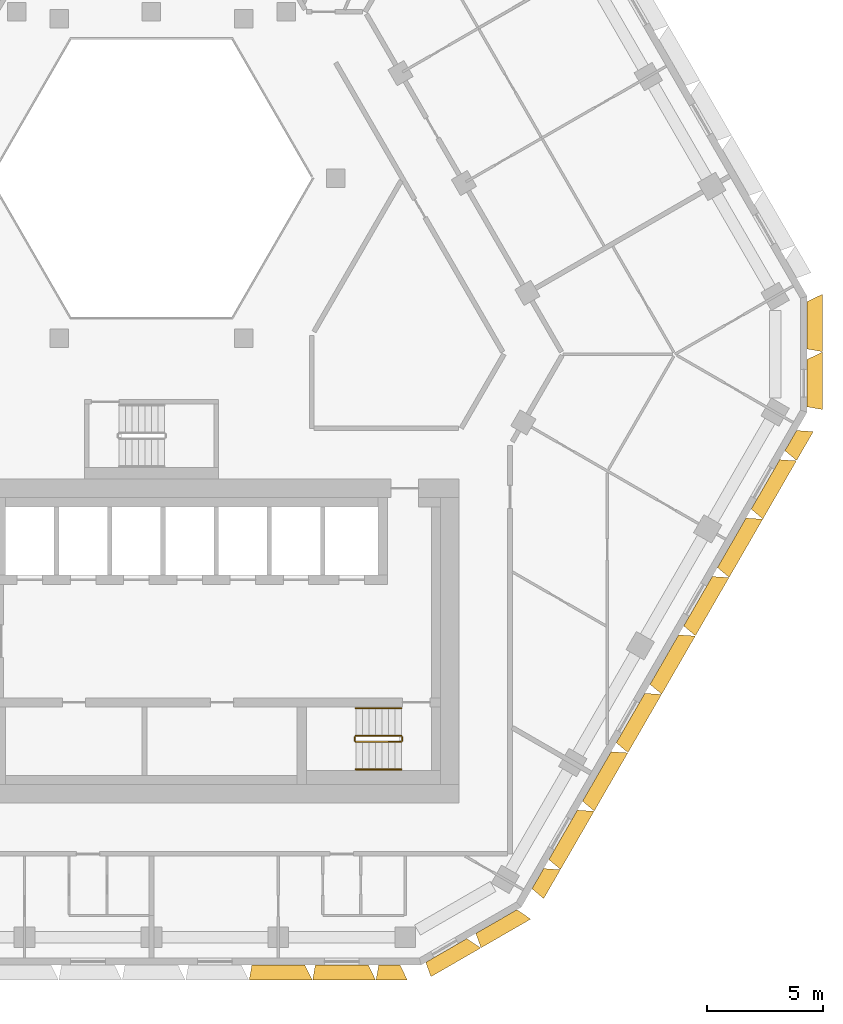
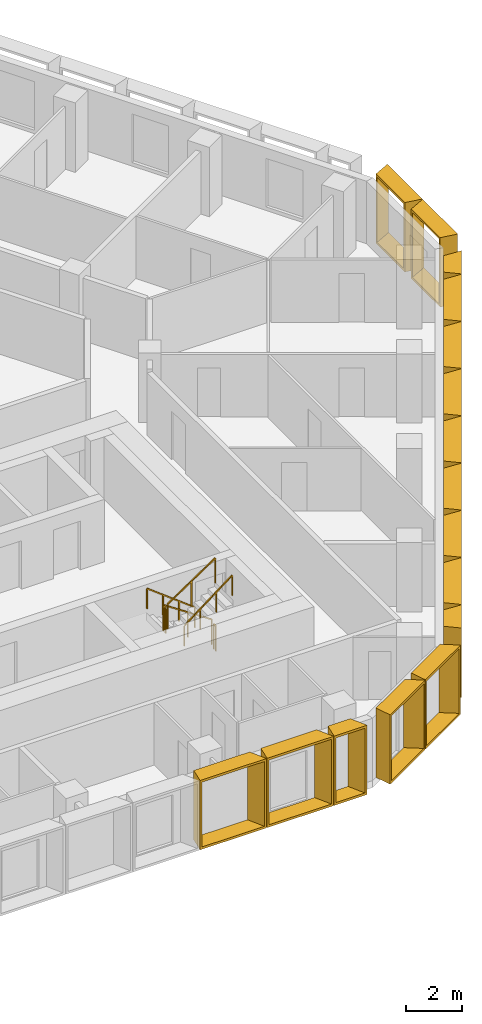
# One storey, part 14 of 15: 16 shading devices, 6 railings.
"""IFC4 building model written with IfcOpenShell, lengths in metres."""

import ifcopenshell
import ifcopenshell.guid

model = None  # the IFC model being written
_history = None  # IfcOwnerHistory: only IFC2X3 demands one
_inside = {}  # id of a spatial element -> (the spatial element, [elements in it])
_under = {}  # id of a project, library or spatial element -> (it, [spatial elements below it])
_declared = {}  # id of a project -> (the project, [libraries it declares])
_typed = {}  # id of a type object -> (the type object, [elements of that type])
_made_of = {}  # id of a material, layer set ... -> (it, [elements and type objects made of it])


def new_model(schema):
    """Start an empty IFC model of exactly this schema.

    Asked for "IFC4X3", IfcOpenShell would pick the latest addendum, in which some entities
    have other attributes; the version numbers below select the first issue.
    IFC2X3 requires an IfcOwnerHistory on every rooted entity: one is made here for all.
    """
    global model, _history
    if schema == "IFC4X3":
        model = ifcopenshell.file(schema_version=(4, 3, 0, 0))
    else:
        model = ifcopenshell.file(schema=schema)
    _inside.clear()
    _under.clear()
    _declared.clear()
    _typed.clear()
    _made_of.clear()
    _history = None
    if model.schema == "IFC2X3":
        org = make("IfcOrganization", Name="unknown")
        user = make(
            "IfcPersonAndOrganization",
            ThePerson=make("IfcPerson", FamilyName="unknown"),
            TheOrganization=org,
        )
        app = make(
            "IfcApplication",
            ApplicationDeveloper=org,
            Version="unknown",
            ApplicationFullName="unknown",
            ApplicationIdentifier="unknown",
        )
        _history = make(
            "IfcOwnerHistory",
            OwningUser=user,
            OwningApplication=app,
            ChangeAction="ADDED",
            CreationDate=0,
        )
    return model


def make(cls, **values):
    """One entity of the class cls with the attributes given. An attribute that is None is left unset."""
    return model.create_entity(
        cls, **{name: value for name, value in values.items() if value is not None}
    )


def entity(cls, *values):
    """Any entity or typed value of the class cls, its attributes in the order of the schema. None: left unset."""
    e = model.create_entity(cls)
    for i, value in enumerate(values):
        if value is not None:
            e[i] = value
    return e


def rooted(cls, **values):
    """An entity with a GlobalId (a new one), such as an element, a storey or a relation."""
    return make(cls, GlobalId=ifcopenshell.guid.new(), OwnerHistory=_history, **values)


def si_unit(unit_type, name, prefix=None):
    """IfcSIUnit, for example si_unit("LENGTHUNIT", "METRE", prefix="MILLI")."""
    return make("IfcSIUnit", UnitType=unit_type, Prefix=prefix, Name=name)


def assignment(units):
    """IfcUnitAssignment: the units of a project."""
    return None if units is None else make("IfcUnitAssignment", Units=units)


def point(xyz):
    """IfcCartesianPoint."""
    return None if xyz is None else make("IfcCartesianPoint", Coordinates=xyz)


def direction(xyz):
    """IfcDirection."""
    return None if xyz is None else make("IfcDirection", DirectionRatios=xyz)


def frame(location, z_axis=None, x_axis=None):
    """IfcAxis2Placement3D, a coordinate frame: its origin and axes. An axis left out is left unset."""
    return make(
        "IfcAxis2Placement3D",
        Location=point(location),
        Axis=direction(z_axis),
        RefDirection=direction(x_axis),
    )


def frame_2d(location, x_axis=None):
    """IfcAxis2Placement2D, a coordinate frame in the plane: its origin and x axis."""
    return make(
        "IfcAxis2Placement2D", Location=point(location), RefDirection=direction(x_axis)
    )


def origin():
    """The frame at (0, 0, 0) with its axes left unset."""
    return frame((0.0, 0.0, 0.0))


def origin_2d():
    """The frame at (0, 0) in the plane with its x axis left unset."""
    return frame_2d((0.0, 0.0))


def place(relative_to, where):
    """IfcLocalPlacement: puts the frame where relative to a parent placement (None: the world)."""
    return make(
        "IfcLocalPlacement", PlacementRelTo=relative_to, RelativePlacement=where
    )


def context(
    kind, dimensions, precision=None, world=None, true_north=None, identifier=None
):
    """IfcGeometricRepresentationContext, for example the 3D "Model" context."""
    return make(
        "IfcGeometricRepresentationContext",
        ContextIdentifier=identifier,
        ContextType=kind,
        CoordinateSpaceDimension=dimensions,
        Precision=precision,
        WorldCoordinateSystem=world,
        TrueNorth=true_north,
    )


def subcontext(parent, identifier, kind, view, scale=None):
    """IfcGeometricRepresentationSubContext, for example "Body" below "Model"."""
    return make(
        "IfcGeometricRepresentationSubContext",
        ContextIdentifier=identifier,
        ContextType=kind,
        ParentContext=parent,
        TargetScale=scale,
        TargetView=view,
    )


def project(units=None, contexts=None):
    """IfcProject with its units and contexts."""
    return rooted(
        "IfcProject",
        Name="project",
        RepresentationContexts=contexts,
        UnitsInContext=assignment(units),
    )


def spatial(cls, under=None, at=None, **own):
    """A site, building, storey or space (cls), placed at a placement, below another one or the project."""
    s = rooted(cls, ObjectPlacement=at, **own)
    if under is not None:
        _under.setdefault(under.id(), (under, []))[1].append(s)
    return s


def profile(cls, at=None, kind="AREA", **sizes):
    """A parametric profile (cls). Its sizes go by their IFC names, for example OverallWidth=200.0."""
    return make(cls, ProfileType=kind, Position=at, **sizes)


def rectangle(**sizes):
    """IfcRectangleProfileDef."""
    return profile("IfcRectangleProfileDef", **sizes)


def extrude(swept, where, along, depth):
    """IfcExtrudedAreaSolid: the profile swept, set in the frame where, extruded along a direction by depth."""
    return make(
        "IfcExtrudedAreaSolid",
        SweptArea=swept,
        Position=where,
        ExtrudedDirection=direction(along),
        Depth=depth,
    )


def shape(context_of_items, identifier, shape_type, items):
    """IfcShapeRepresentation: the items that make up one representation, for example the "Body"."""
    return make(
        "IfcShapeRepresentation",
        ContextOfItems=context_of_items,
        RepresentationIdentifier=identifier,
        RepresentationType=shape_type,
        Items=items,
    )


def source(mapping_origin, context_of_items, identifier, shape_type, items):
    """IfcRepresentationMap: a shape defined once, which mapped items show again and again."""
    return make(
        "IfcRepresentationMap",
        MappingOrigin=mapping_origin,
        MappedRepresentation=shape(context_of_items, identifier, shape_type, items),
    )


def transform(
    local_origin,
    x_axis=None,
    y_axis=None,
    z_axis=None,
    scale=None,
    scale2=None,
    scale3=None,
    uniform=True,
):
    """IfcCartesianTransformationOperator3D, or its non-uniform kind. x_axis, y_axis, z_axis: its Axis1, 2, 3."""
    if uniform:
        return make(
            "IfcCartesianTransformationOperator3D",
            Axis1=direction(x_axis),
            Axis2=direction(y_axis),
            LocalOrigin=point(local_origin),
            Scale=scale,
            Axis3=direction(z_axis),
        )
    return make(
        "IfcCartesianTransformationOperator3DnonUniform",
        Axis1=direction(x_axis),
        Axis2=direction(y_axis),
        LocalOrigin=point(local_origin),
        Scale=scale,
        Axis3=direction(z_axis),
        Scale2=scale2,
        Scale3=scale3,
    )


def mapped(mapping_source, mapping_target):
    """IfcMappedItem: shows the shape of a source again, moved by a transform."""
    return make(
        "IfcMappedItem", MappingSource=mapping_source, MappingTarget=mapping_target
    )


def material(Name=None, Category=None):
    """IfcMaterial."""
    return make("IfcMaterial", Name=Name, Category=Category)


def made_of(thing, what):
    """Note that an element or type object is made of a material, layer set ...; save() writes the relation."""
    if what is not None:
        _made_of.setdefault(what.id(), (what, []))[1].append(thing)
    return thing


def type_object(cls, material=None, **own):
    """A type object (cls), such as IfcWallType, which elements share."""
    return made_of(rooted(cls, **own), material)


def type_shapes(of_type, sources):
    """Give a type object the sources (RepresentationMaps) that its elements show as mapped items."""
    of_type.RepresentationMaps = sources


def element(
    cls,
    number,
    at=None,
    inside=None,
    cuts=None,
    type_object=None,
    material=None,
    context=None,
    identifier="Body",
    shape_type=None,
    held_by="IfcProductDefinitionShape",
    body=None,
    shapes=None,
    **own,
):
    """One element of the class cls, such as IfcWall. Its Tag is "e" and its number.

    at: its placement. inside: the storey or other place that contains it. cuts: it is an
    opening in that element (IfcRelVoidsElement). A single representation is given by context,
    identifier, shape_type and body (its items); several are given by shapes. held_by: the class
    of the entity that holds the representations. save() writes the other relations.
    """
    e = rooted(cls, Tag="e%d" % number, ObjectPlacement=at, **own)
    if body is not None:
        shapes = [shape(context, identifier, shape_type, body)]
    if shapes is not None:
        e.Representation = make(held_by, Representations=shapes)
    if inside is not None:
        _inside.setdefault(inside.id(), (inside, []))[1].append(e)
    if cuts is not None:
        rooted(
            "IfcRelVoidsElement", RelatingBuildingElement=cuts, RelatedOpeningElement=e
        )
    if type_object is not None:
        _typed.setdefault(type_object.id(), (type_object, []))[1].append(e)
    return made_of(e, material)


def aggregate(whole, parts):
    """IfcRelAggregates: a whole, such as a stair, and the parts it consists of."""
    return rooted("IfcRelAggregates", RelatingObject=whole, RelatedObjects=parts)


def save(model, path):
    """Write the relations noted so far, then the file.

    IfcRelAggregates (storeys below a building ...), IfcRelContainedInSpatialStructure (elements
    in a storey), IfcRelDefinesByType, IfcRelAssociatesMaterial and IfcRelDeclares: one each for
    every whole, place, type object, material and project.
    """
    for whole, parts in _under.values():
        aggregate(whole, parts)
    for where, things in _inside.values():
        rooted(
            "IfcRelContainedInSpatialStructure",
            RelatedElements=things,
            RelatingStructure=where,
        )
    for kind, things in _typed.values():
        rooted("IfcRelDefinesByType", RelatedObjects=things, RelatingType=kind)
    for what, things in _made_of.values():
        rooted("IfcRelAssociatesMaterial", RelatedObjects=things, RelatingMaterial=what)
    for by, libraries in _declared.values():
        rooted("IfcRelDeclares", RelatingContext=by, RelatedDefinitions=libraries)
    model.write(path)


model = new_model("IFC4")

# Units and contexts
model_context = context("Model", 3, precision=1e-05, world=origin(), true_north=direction((0.0, 1.0)))
body_context = subcontext(model_context, "Body", "Model", "MODEL_VIEW")
ifc_project = project(units=[si_unit("LENGTHUNIT", "METRE"), si_unit("AREAUNIT", "SQUARE_METRE"), si_unit("VOLUMEUNIT", "CUBIC_METRE"), si_unit("PLANEANGLEUNIT", "RADIAN"), si_unit("MASSUNIT", "GRAM", prefix="KILO")], contexts=[model_context])

# Site, building, storey
site_placement = place(None, origin())
site = spatial("IfcSite", under=ifc_project, at=site_placement, CompositionType="ELEMENT")
building_placement = place(site_placement, origin())
building = spatial("IfcBuilding", under=site, at=building_placement, Name="Beryl Residences", CompositionType="ELEMENT")
storey_placement = place(building_placement, frame((0.0, 0.0, 117.60009765625)))
storey = spatial("IfcBuildingStorey", under=building, at=storey_placement, Name="L35", CompositionType="ELEMENT", Elevation=117.60009765625)

# Shading devices
ifc_material_1 = material(Name="Aluminium pale anodised", Category="aluminium")
shading_device_type_1 = type_object("IfcShadingDeviceType", Name="FR137-65C OUTER SKIN frame 650 mm deep, splay 10/26 deg, 1370 x 3000 mm cell", PredefinedType="USERDEFINED", material=ifc_material_1)
cartesian_point_1 = entity("IfcCartesianPoint", [-0.458984375, 0.0])
cartesian_point_2 = entity("IfcCartesianPoint", [-0.377685546875, 0.10009765625])
cartesian_point_3 = entity("IfcCartesianPoint", [-0.57373046875, 0.0])
cartesian_point_4 = entity("IfcCartesianPoint", [-0.492431640625, 0.10009765625])
shared_shape_1 = source(origin(), body_context, "Body", "SweptSolid", [
    entity("IfcExtrudedAreaSolidTapered", entity("IfcArbitraryProfileDefWithVoids", "AREA", None, entity("IfcPolyline", [cartesian_point_1, entity("IfcCartesianPoint", [0.458984375, 0.0]), entity("IfcCartesianPoint", [0.458984375, 3.0]), entity("IfcCartesianPoint", [-0.458984375, 3.0]), cartesian_point_1]), [entity("IfcPolyline", [cartesian_point_2, entity("IfcCartesianPoint", [0.369873046875, 0.10009765625]), entity("IfcCartesianPoint", [0.369873046875, 2.89990234375]), entity("IfcCartesianPoint", [-0.377685546875, 2.89990234375]), cartesian_point_2])]), entity("IfcAxis2Placement3D", entity("IfcCartesianPoint", [0.0, 0.0, 0.0]), entity("IfcDirection", [0.0, 1.0, 0.0]), entity("IfcDirection", [-1.0, 0.0, 0.0])), entity("IfcDirection", [0.0, 0.0, 1.0]), 0.64990234375, entity("IfcArbitraryProfileDefWithVoids", "AREA", None, entity("IfcPolyline", [cartesian_point_3, entity("IfcCartesianPoint", [0.776123046875, 0.0]), entity("IfcCartesianPoint", [0.776123046875, 3.0]), entity("IfcCartesianPoint", [-0.57373046875, 3.0]), cartesian_point_3]), [entity("IfcPolyline", [cartesian_point_4, entity("IfcCartesianPoint", [0.68701171875, 0.10009765625]), entity("IfcCartesianPoint", [0.68701171875, 2.89990234375]), entity("IfcCartesianPoint", [-0.492431640625, 2.89990234375]), cartesian_point_4])])),
])
type_shapes(shading_device_type_1, [shared_shape_1])
shading_device_placement = place(storey_placement, frame((10.284912109375, -26.0, 0.0), z_axis=(0.0, 0.0, 1.0), x_axis=(-1.0, 0.0, 0.0)))
element("IfcShadingDevice", 1, at=shading_device_placement, inside=storey, type_object=shading_device_type_1, Name="FR137-65C frame L35 S 9", ObjectType="OUTER SKIN", PredefinedType="USERDEFINED", context=body_context, shape_type="MappedRepresentation", body=[
    mapped(shared_shape_1, transform((0.0, 0.0, 0.0))),
])
ifc_material_2 = material(Name="Aluminium pale anodised", Category="aluminium")
shading_device_type_2 = type_object("IfcShadingDeviceType", Name="FR146-65C OUTER SKIN frame 650 mm deep, splay 10/26 deg, 1460 x 3000 mm cell", PredefinedType="USERDEFINED", material=ifc_material_2)
cartesian_point_5 = entity("IfcCartesianPoint", [-0.50390625, 0.0])
cartesian_point_6 = entity("IfcCartesianPoint", [-0.4228515625, 0.10009765625])
cartesian_point_7 = entity("IfcCartesianPoint", [-0.61865234375, 0.0])
cartesian_point_8 = entity("IfcCartesianPoint", [-0.537353515625, 0.10009765625])
shared_shape_2 = source(origin(), body_context, "Body", "SweptSolid", [
    entity("IfcExtrudedAreaSolidTapered", entity("IfcArbitraryProfileDefWithVoids", "AREA", None, entity("IfcPolyline", [cartesian_point_5, entity("IfcCartesianPoint", [0.50390625, 0.0]), entity("IfcCartesianPoint", [0.50390625, 3.0]), entity("IfcCartesianPoint", [-0.50390625, 3.0]), cartesian_point_5]), [entity("IfcPolyline", [cartesian_point_6, entity("IfcCartesianPoint", [0.4150390625, 0.10009765625]), entity("IfcCartesianPoint", [0.4150390625, 2.89990234375]), entity("IfcCartesianPoint", [-0.4228515625, 2.89990234375]), cartesian_point_6])]), entity("IfcAxis2Placement3D", entity("IfcCartesianPoint", [0.0, 0.0, 0.0]), entity("IfcDirection", [0.0, 1.0, 0.0]), entity("IfcDirection", [-1.0, 0.0, 0.0])), entity("IfcDirection", [0.0, 0.0, 1.0]), 0.64990234375, entity("IfcArbitraryProfileDefWithVoids", "AREA", None, entity("IfcPolyline", [cartesian_point_7, entity("IfcCartesianPoint", [0.821044921875, 0.0]), entity("IfcCartesianPoint", [0.821044921875, 3.0]), entity("IfcCartesianPoint", [-0.61865234375, 3.0]), cartesian_point_7]), [entity("IfcPolyline", [cartesian_point_8, entity("IfcCartesianPoint", [0.73193359375, 0.10009765625]), entity("IfcCartesianPoint", [0.73193359375, 2.89990234375]), entity("IfcCartesianPoint", [-0.537353515625, 2.89990234375]), cartesian_point_8])])),
])
type_shapes(shading_device_type_2, [shared_shape_2])
for number, where, z_axis, x_axis, name in (
    (2, (16.702880859375, -22.26904296875, 0.0), (0.0, 0.0, 1.0), (-0.5, -0.866025403784, 0.0), "FR146-65C frame L35 SE 1"),
    (3, (27.635986328125, -3.33203125, 0.0), (0.0, 0.0, 1.0), (-0.5, -0.866025403784, 0.0), "FR146-65C frame L35 SE 9"),
):
    element("IfcShadingDevice", number, at=place(storey_placement, frame(where, z_axis=z_axis, x_axis=x_axis)), inside=storey, type_object=shading_device_type_2, Name=name, ObjectType="OUTER SKIN", PredefinedType="USERDEFINED", context=body_context, shape_type="MappedRepresentation", body=[
        mapped(shared_shape_2, transform((0.0, 0.0, 0.0))),
    ])
ifc_material_3 = material(Name="Aluminium pale anodised", Category="aluminium")
shading_device_type_3 = type_object("IfcShadingDeviceType", Name="FR250-65C OUTER SKIN frame 650 mm deep, splay 10/26 deg, 2500 x 3000 mm cell", PredefinedType="USERDEFINED", material=ifc_material_3)
cartesian_point_9 = entity("IfcCartesianPoint", [-1.02392578125, 0.0])
cartesian_point_10 = entity("IfcCartesianPoint", [-0.94287109375, 0.10009765625])
cartesian_point_11 = entity("IfcCartesianPoint", [-1.138671875, 0.0])
cartesian_point_12 = entity("IfcCartesianPoint", [-1.057373046875, 0.10009765625])
shared_shape_3 = source(origin(), body_context, "Body", "SweptSolid", [
    entity("IfcExtrudedAreaSolidTapered", entity("IfcArbitraryProfileDefWithVoids", "AREA", None, entity("IfcPolyline", [cartesian_point_9, entity("IfcCartesianPoint", [1.02392578125, 0.0]), entity("IfcCartesianPoint", [1.02392578125, 3.0]), entity("IfcCartesianPoint", [-1.02392578125, 3.0]), cartesian_point_9]), [entity("IfcPolyline", [cartesian_point_10, entity("IfcCartesianPoint", [0.93505859375, 0.10009765625]), entity("IfcCartesianPoint", [0.93505859375, 2.89990234375]), entity("IfcCartesianPoint", [-0.94287109375, 2.89990234375]), cartesian_point_10])]), entity("IfcAxis2Placement3D", entity("IfcCartesianPoint", [0.0, 0.0, 0.0]), entity("IfcDirection", [0.0, 1.0, 0.0]), entity("IfcDirection", [-1.0, 0.0, 0.0])), entity("IfcDirection", [0.0, 0.0, 1.0]), 0.64990234375, entity("IfcArbitraryProfileDefWithVoids", "AREA", None, entity("IfcPolyline", [cartesian_point_11, entity("IfcCartesianPoint", [1.341064453125, 0.0]), entity("IfcCartesianPoint", [1.341064453125, 3.0]), entity("IfcCartesianPoint", [-1.138671875, 3.0]), cartesian_point_11]), [entity("IfcPolyline", [cartesian_point_12, entity("IfcCartesianPoint", [1.251953125, 0.10009765625]), entity("IfcCartesianPoint", [1.251953125, 2.89990234375]), entity("IfcCartesianPoint", [-1.057373046875, 2.89990234375]), cartesian_point_12])])),
])
type_shapes(shading_device_type_3, [shared_shape_3])
for number, where, z_axis, x_axis, name in (
    (4, (12.7451171875, -25.375, 0.0), (0.0, 0.0, 1.0), (-0.866025403784, -0.5, 0.0), "FR250-65C frame L35 S-SE 1"),
    (5, (14.909912109375, -24.125, 0.0), (0.0, 0.0, 1.0), (-0.866025403784, -0.5, 0.0), "FR250-65C frame L35 S-SE 2"),
    (6, (28.347900390625, -0.85009765625, 0.0), (0.0, 0.0, 1.0), (0.0, -1.0, 0.0), "FR250-65C frame L35 SE-NE 1"),
    (7, (28.347900390625, 1.64990234375, 0.0), (0.0, 0.0, 1.0), (0.0, -1.0, 0.0), "FR250-65C frame L35 SE-NE 2"),
):
    element("IfcShadingDevice", number, at=place(storey_placement, frame(where, z_axis=z_axis, x_axis=x_axis)), inside=storey, type_object=shading_device_type_3, Name=name, ObjectType="OUTER SKIN", PredefinedType="USERDEFINED", context=body_context, shape_type="MappedRepresentation", body=[
        mapped(shared_shape_3, transform((0.0, 0.0, 0.0))),
    ])
ifc_material_4 = material(Name="Aluminium pale anodised", Category="aluminium")
shading_device_type_4 = type_object("IfcShadingDeviceType", Name="FR274-65C OUTER SKIN frame 650 mm deep, splay 10/26 deg, 2740 x 3000 mm cell", PredefinedType="USERDEFINED", material=ifc_material_4)
cartesian_point_13 = entity("IfcCartesianPoint", [-1.14404296875, 0.0])
cartesian_point_14 = entity("IfcCartesianPoint", [-1.062744140625, 0.10009765625])
cartesian_point_15 = entity("IfcCartesianPoint", [-1.258544921875, 0.0])
cartesian_point_16 = entity("IfcCartesianPoint", [-1.177490234375, 0.10009765625])
shared_shape_4 = source(origin(), body_context, "Body", "SweptSolid", [
    entity("IfcExtrudedAreaSolidTapered", entity("IfcArbitraryProfileDefWithVoids", "AREA", None, entity("IfcPolyline", [cartesian_point_13, entity("IfcCartesianPoint", [1.14404296875, 0.0]), entity("IfcCartesianPoint", [1.14404296875, 3.0]), entity("IfcCartesianPoint", [-1.14404296875, 3.0]), cartesian_point_13]), [entity("IfcPolyline", [cartesian_point_14, entity("IfcCartesianPoint", [1.054931640625, 0.10009765625]), entity("IfcCartesianPoint", [1.054931640625, 2.89990234375]), entity("IfcCartesianPoint", [-1.062744140625, 2.89990234375]), cartesian_point_14])]), entity("IfcAxis2Placement3D", entity("IfcCartesianPoint", [0.0, 0.0, 0.0]), entity("IfcDirection", [0.0, 1.0, 0.0]), entity("IfcDirection", [-1.0, 0.0, 0.0])), entity("IfcDirection", [0.0, 0.0, 1.0]), 0.64990234375, entity("IfcArbitraryProfileDefWithVoids", "AREA", None, entity("IfcPolyline", [cartesian_point_15, entity("IfcCartesianPoint", [1.4609375, 0.0]), entity("IfcCartesianPoint", [1.4609375, 3.0]), entity("IfcCartesianPoint", [-1.258544921875, 3.0]), cartesian_point_15]), [entity("IfcPolyline", [cartesian_point_16, entity("IfcCartesianPoint", [1.3720703125, 0.10009765625]), entity("IfcCartesianPoint", [1.3720703125, 2.89990234375]), entity("IfcCartesianPoint", [-1.177490234375, 2.89990234375]), cartesian_point_16])])),
])
type_shapes(shading_device_type_4, [shared_shape_4])
for number, where, z_axis, x_axis, name in (
    (8, (5.486083984375, -26.0, 0.0), (0.0, 0.0, 1.0), (-1.0, 0.0, 0.0), "FR274-65C frame L35 S 7"),
    (9, (8.22900390625, -26.0, 0.0), (0.0, 0.0, 1.0), (-1.0, 0.0, 0.0), "FR274-65C frame L35 S 8"),
):
    element("IfcShadingDevice", number, at=place(storey_placement, frame(where, z_axis=z_axis, x_axis=x_axis)), inside=storey, type_object=shading_device_type_4, Name=name, ObjectType="OUTER SKIN", PredefinedType="USERDEFINED", context=body_context, shape_type="MappedRepresentation", body=[
        mapped(shared_shape_4, transform((0.0, 0.0, 0.0))),
    ])
ifc_material_5 = material(Name="Aluminium pale anodised", Category="aluminium")
shading_device_type_5 = type_object("IfcShadingDeviceType", Name="FR292-65C OUTER SKIN frame 650 mm deep, splay 10/26 deg, 2920 x 3000 mm cell", PredefinedType="USERDEFINED", material=ifc_material_5)
cartesian_point_17 = entity("IfcCartesianPoint", [-1.23388671875, 0.0])
cartesian_point_18 = entity("IfcCartesianPoint", [-1.15283203125, 0.10009765625])
cartesian_point_19 = entity("IfcCartesianPoint", [-1.3486328125, 0.0])
cartesian_point_20 = entity("IfcCartesianPoint", [-1.267333984375, 0.10009765625])
shared_shape_5 = source(origin(), body_context, "Body", "SweptSolid", [
    entity("IfcExtrudedAreaSolidTapered", entity("IfcArbitraryProfileDefWithVoids", "AREA", None, entity("IfcPolyline", [cartesian_point_17, entity("IfcCartesianPoint", [1.23388671875, 0.0]), entity("IfcCartesianPoint", [1.23388671875, 3.0]), entity("IfcCartesianPoint", [-1.23388671875, 3.0]), cartesian_point_17]), [entity("IfcPolyline", [cartesian_point_18, entity("IfcCartesianPoint", [1.14501953125, 0.10009765625]), entity("IfcCartesianPoint", [1.14501953125, 2.89990234375]), entity("IfcCartesianPoint", [-1.15283203125, 2.89990234375]), cartesian_point_18])]), entity("IfcAxis2Placement3D", entity("IfcCartesianPoint", [0.0, 0.0, 0.0]), entity("IfcDirection", [0.0, 1.0, 0.0]), entity("IfcDirection", [-1.0, 0.0, 0.0])), entity("IfcDirection", [0.0, 0.0, 1.0]), 0.64990234375, entity("IfcArbitraryProfileDefWithVoids", "AREA", None, entity("IfcPolyline", [cartesian_point_19, entity("IfcCartesianPoint", [1.551025390625, 0.0]), entity("IfcCartesianPoint", [1.551025390625, 3.0]), entity("IfcCartesianPoint", [-1.3486328125, 3.0]), cartesian_point_19]), [entity("IfcPolyline", [cartesian_point_20, entity("IfcCartesianPoint", [1.4619140625, 0.10009765625]), entity("IfcCartesianPoint", [1.4619140625, 2.89990234375]), entity("IfcCartesianPoint", [-1.267333984375, 2.89990234375]), cartesian_point_20])])),
])
type_shapes(shading_device_type_5, [shared_shape_5])
for number, where, z_axis, x_axis, name in (
    (10, (17.7958984375, -20.3759765625, 0.0), (0.0, 0.0, 1.0), (-0.5, -0.866025403784, 0.0), "FR292-65C frame L35 SE 2"),
    (11, (19.25390625, -17.85107421875, 0.0), (0.0, 0.0, 1.0), (-0.5, -0.866025403784, 0.0), "FR292-65C frame L35 SE 3"),
    (12, (20.7119140625, -15.325927734375, 0.0), (0.0, 0.0, 1.0), (-0.5, -0.866025403784, 0.0), "FR292-65C frame L35 SE 4"),
    (13, (22.169921875, -12.801025390625, 0.0), (0.0, 0.0, 1.0), (-0.5, -0.866025403784, 0.0), "FR292-65C frame L35 SE 5"),
    (14, (23.626953125, -10.27587890625, 0.0), (0.0, 0.0, 1.0), (-0.5, -0.866025403784, 0.0), "FR292-65C frame L35 SE 6"),
    (15, (25.0849609375, -7.7509765625, 0.0), (0.0, 0.0, 1.0), (-0.5, -0.866025403784, 0.0), "FR292-65C frame L35 SE 7"),
    (16, (26.54296875, -5.22607421875, 0.0), (0.0, 0.0, 1.0), (-0.5, -0.866025403784, 0.0), "FR292-65C frame L35 SE 8"),
):
    element("IfcShadingDevice", number, at=place(storey_placement, frame(where, z_axis=z_axis, x_axis=x_axis)), inside=storey, type_object=shading_device_type_5, Name=name, ObjectType="OUTER SKIN", PredefinedType="USERDEFINED", context=body_context, shape_type="MappedRepresentation", body=[
        mapped(shared_shape_5, transform((0.0, 0.0, 0.0))),
    ])

# Railings
ifc_material_6 = material(Name="Stainless steel balustrade with glass infill", Category="steel")
railing_type_1 = type_object("IfcRailingType", Name="SG1 stair guard 1100 mm", PredefinedType="GUARDRAIL", material=ifc_material_6)
railing_1_placement = place(storey_placement, frame((10.800048828125, -16.10009765625, 0.1875)))
element("IfcRailing", 17, at=railing_1_placement, inside=storey, type_object=railing_type_1, Name="L35 ST-3 stair guard 1", PredefinedType="GUARDRAIL", context=body_context, shape_type="SweptSolid", body=[
    extrude(rectangle(XDim=0.048095703125, YDim=0.048095703125, at=origin_2d()), frame((0.0, 0.0, 1.076171875), z_axis=(-0.830902050051, 0.0, 0.556418712142), x_axis=(0.0, -1.0, 0.0)), (0.0, 0.0, 1.0), 2.35888671875),
    extrude(rectangle(XDim=0.0419921875, YDim=0.0419921875, at=origin_2d()), origin(), (0.0, 0.0, 1.0), 1.052001953125),
    extrude(rectangle(XDim=0.0419921875, YDim=0.0419921875, at=origin_2d()), frame((-0.97998046875, 0.0, 0.65625)), (0.0, 0.0, 1.0), 1.052001953125),
    extrude(rectangle(XDim=0.0419921875, YDim=0.0419921875, at=origin_2d()), frame((-1.9599609375, 0.0, 1.3125)), (0.0, 0.0, 1.0), 1.052001953125),
])
railing_2_placement = place(storey_placement, frame((8.7900390625, -16.14990234375, 1.5)))
element("IfcRailing", 18, at=railing_2_placement, inside=storey, type_object=railing_type_1, Name="L35 ST-3 stair guard 2", PredefinedType="GUARDRAIL", context=body_context, shape_type="SweptSolid", body=[
    extrude(rectangle(XDim=0.048095703125, YDim=0.048095703125, at=origin_2d()), frame((0.0, 0.0, 1.076171875), z_axis=(0.0, -1.0, 0.0), x_axis=(1.0, 0.0, 0.0)), (0.0, 0.0, 1.0), 0.150146484375),
    extrude(rectangle(XDim=0.0419921875, YDim=0.0419921875, at=origin_2d()), origin(), (0.0, 0.0, 1.0), 1.052001953125),
    extrude(rectangle(XDim=0.0419921875, YDim=0.0419921875, at=origin_2d()), frame((0.0, -0.150146484375, 0.0)), (0.0, 0.0, 1.0), 1.052001953125),
])
railing_3_placement = place(storey_placement, frame((8.840087890625, -16.35009765625, 1.6875)))
element("IfcRailing", 19, at=railing_3_placement, inside=storey, type_object=railing_type_1, Name="L35 ST-3 stair guard 3", PredefinedType="GUARDRAIL", context=body_context, shape_type="SweptSolid", body=[
    extrude(rectangle(XDim=0.048095703125, YDim=0.048095703125, at=origin_2d()), frame((0.0, 0.0, 1.076171875), z_axis=(0.830902050051, 0.0, 0.556418712142), x_axis=(0.0, 1.0, 0.0)), (0.0, 0.0, 1.0), 2.35888671875),
    extrude(rectangle(XDim=0.0419921875, YDim=0.0419921875, at=origin_2d()), origin(), (0.0, 0.0, 1.0), 1.052001953125),
    extrude(rectangle(XDim=0.0419921875, YDim=0.0419921875, at=origin_2d()), frame((0.97998046875, 0.0, 0.65625)), (0.0, 0.0, 1.0), 1.052001953125),
    extrude(rectangle(XDim=0.0419921875, YDim=0.0419921875, at=origin_2d()), frame((1.9599609375, 0.0, 1.3125)), (0.0, 0.0, 1.0), 1.052001953125),
])
railing_4_placement = place(storey_placement, frame((10.85009765625, -16.14990234375, 0.0)))
element("IfcRailing", 20, at=railing_4_placement, inside=storey, type_object=railing_type_1, Name="L35 ST-3 stair guard 4", PredefinedType="GUARDRAIL", context=body_context, shape_type="SweptSolid", body=[
    extrude(rectangle(XDim=0.048095703125, YDim=0.048095703125, at=origin_2d()), frame((0.0, 0.0, 1.076171875), z_axis=(0.0, -1.0, 0.0), x_axis=(1.0, 0.0, 0.0)), (0.0, 0.0, 1.0), 0.150146484375),
    extrude(rectangle(XDim=0.0419921875, YDim=0.0419921875, at=origin_2d()), origin(), (0.0, 0.0, 1.0), 1.052001953125),
    extrude(rectangle(XDim=0.0419921875, YDim=0.0419921875, at=origin_2d()), frame((0.0, -0.150146484375, 0.0)), (0.0, 0.0, 1.0), 1.052001953125),
])
ifc_material_7 = material(Name="Stainless steel handrail", Category="steel")
railing_type_2 = type_object("IfcRailingType", Name="SRL1 stair handrail 900 mm", PredefinedType="HANDRAIL", material=ifc_material_7)
railing_5_placement = place(storey_placement, frame((10.800048828125, -14.89990234375, 0.1875)))
element("IfcRailing", 21, at=railing_5_placement, inside=storey, type_object=railing_type_2, Name="L35 ST-3 stair handrail 1", PredefinedType="HANDRAIL", context=body_context, shape_type="SweptSolid", body=[
    extrude(rectangle(XDim=0.048095703125, YDim=0.048095703125, at=origin_2d()), frame((0.0, 0.0, 0.8759765625), z_axis=(-0.794121922505, 0.0, 0.607758481798), x_axis=(0.0, -1.0, 0.0)), (0.0, 0.0, 1.0), 2.468017578125),
    extrude(rectangle(XDim=0.0419921875, YDim=0.0419921875, at=origin_2d()), origin(), (0.0, 0.0, 1.0), 0.851806640625),
    extrude(rectangle(XDim=0.0419921875, YDim=0.0419921875, at=origin_2d()), frame((-0.6533203125, 0.0, 0.5)), (0.0, 0.0, 1.0), 0.851806640625),
    extrude(rectangle(XDim=0.0419921875, YDim=0.0419921875, at=origin_2d()), frame((-1.306640625, 0.0, 1.0)), (0.0, 0.0, 1.0), 0.851806640625),
    extrude(rectangle(XDim=0.0419921875, YDim=0.0419921875, at=origin_2d()), frame((-1.9599609375, 0.0, 1.5)), (0.0, 0.0, 1.0), 0.851806640625),
])
railing_6_placement = place(storey_placement, frame((8.840087890625, -17.550048828125, 1.6875)))
element("IfcRailing", 22, at=railing_6_placement, inside=storey, type_object=railing_type_2, Name="L35 ST-3 stair handrail 2", PredefinedType="HANDRAIL", context=body_context, shape_type="SweptSolid", body=[
    extrude(rectangle(XDim=0.048095703125, YDim=0.048095703125, at=origin_2d()), frame((0.0, 0.0, 0.8759765625), z_axis=(0.794121922505, 0.0, 0.607758481798), x_axis=(0.0, 1.0, 0.0)), (0.0, 0.0, 1.0), 2.468017578125),
    extrude(rectangle(XDim=0.0419921875, YDim=0.0419921875, at=origin_2d()), origin(), (0.0, 0.0, 1.0), 0.851806640625),
    extrude(rectangle(XDim=0.0419921875, YDim=0.0419921875, at=origin_2d()), frame((0.6533203125, 0.0, 0.5)), (0.0, 0.0, 1.0), 0.851806640625),
    extrude(rectangle(XDim=0.0419921875, YDim=0.0419921875, at=origin_2d()), frame((1.306640625, 0.0, 1.0)), (0.0, 0.0, 1.0), 0.851806640625),
    extrude(rectangle(XDim=0.0419921875, YDim=0.0419921875, at=origin_2d()), frame((1.9599609375, 0.0, 1.5)), (0.0, 0.0, 1.0), 0.851806640625),
])

save(model, "model.ifc")
